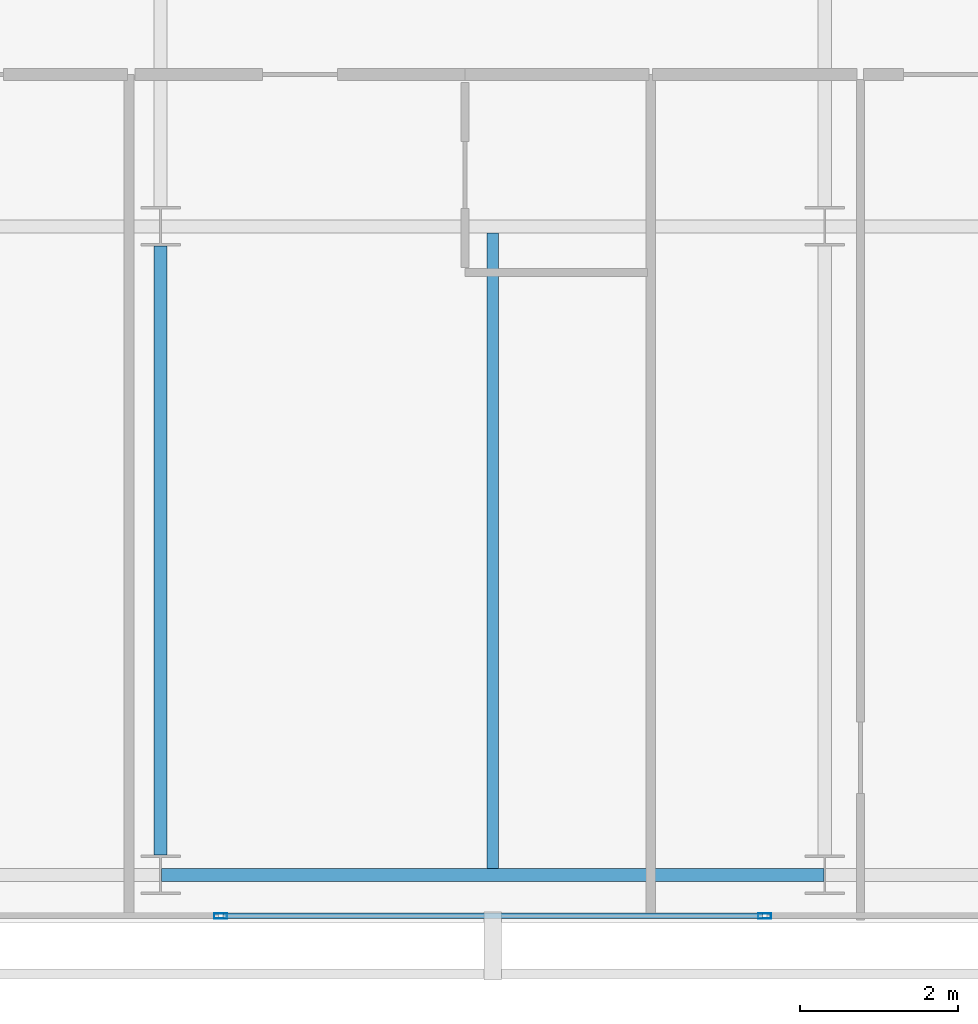
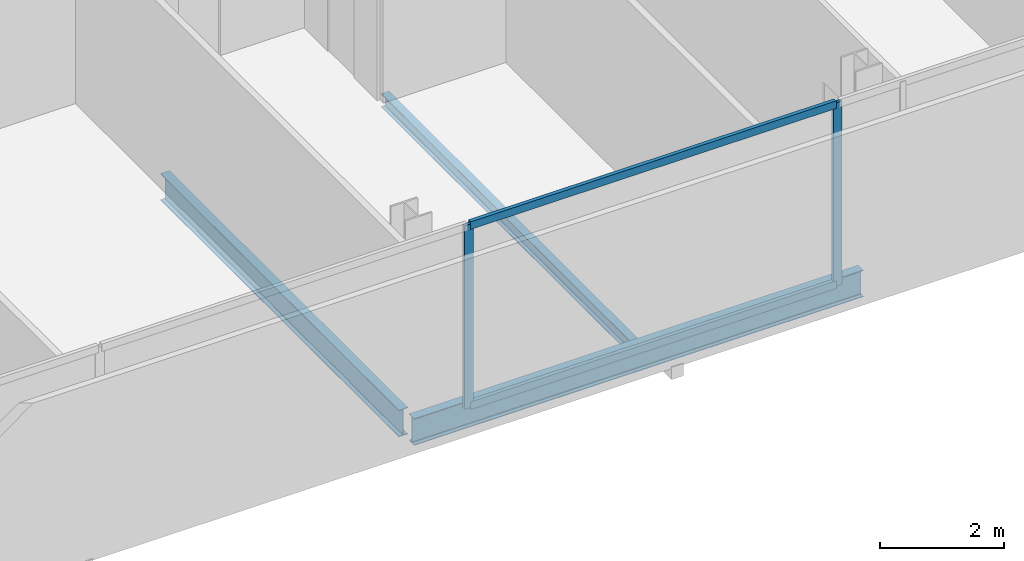
# One storey, part 6 of 26: 4 members, 3 beams, 1 element without a shape of its own.
"""IFC4 building model written with IfcOpenShell, lengths in metres."""

import ifcopenshell
import ifcopenshell.guid

model = None  # the IFC model being written
_history = None  # IfcOwnerHistory: only IFC2X3 demands one
_inside = {}  # id of a spatial element -> (the spatial element, [elements in it])
_under = {}  # id of a project, library or spatial element -> (it, [spatial elements below it])
_declared = {}  # id of a project -> (the project, [libraries it declares])
_typed = {}  # id of a type object -> (the type object, [elements of that type])
_made_of = {}  # id of a material, layer set ... -> (it, [elements and type objects made of it])


def new_model(schema):
    """Start an empty IFC model of exactly this schema.

    Asked for "IFC4X3", IfcOpenShell would pick the latest addendum, in which some entities
    have other attributes; the version numbers below select the first issue.
    IFC2X3 requires an IfcOwnerHistory on every rooted entity: one is made here for all.
    """
    global model, _history
    if schema == "IFC4X3":
        model = ifcopenshell.file(schema_version=(4, 3, 0, 0))
    else:
        model = ifcopenshell.file(schema=schema)
    _inside.clear()
    _under.clear()
    _declared.clear()
    _typed.clear()
    _made_of.clear()
    _history = None
    if model.schema == "IFC2X3":
        org = make("IfcOrganization", Name="unknown")
        user = make(
            "IfcPersonAndOrganization",
            ThePerson=make("IfcPerson", FamilyName="unknown"),
            TheOrganization=org,
        )
        app = make(
            "IfcApplication",
            ApplicationDeveloper=org,
            Version="unknown",
            ApplicationFullName="unknown",
            ApplicationIdentifier="unknown",
        )
        _history = make(
            "IfcOwnerHistory",
            OwningUser=user,
            OwningApplication=app,
            ChangeAction="ADDED",
            CreationDate=0,
        )
    return model


def make(cls, **values):
    """One entity of the class cls with the attributes given. An attribute that is None is left unset."""
    return model.create_entity(
        cls, **{name: value for name, value in values.items() if value is not None}
    )


def rooted(cls, **values):
    """An entity with a GlobalId (a new one), such as an element, a storey or a relation."""
    return make(cls, GlobalId=ifcopenshell.guid.new(), OwnerHistory=_history, **values)


def si_unit(unit_type, name, prefix=None):
    """IfcSIUnit, for example si_unit("LENGTHUNIT", "METRE", prefix="MILLI")."""
    return make("IfcSIUnit", UnitType=unit_type, Prefix=prefix, Name=name)


def assignment(units):
    """IfcUnitAssignment: the units of a project."""
    return None if units is None else make("IfcUnitAssignment", Units=units)


def point(xyz):
    """IfcCartesianPoint."""
    return None if xyz is None else make("IfcCartesianPoint", Coordinates=xyz)


def direction(xyz):
    """IfcDirection."""
    return None if xyz is None else make("IfcDirection", DirectionRatios=xyz)


def frame(location, z_axis=None, x_axis=None):
    """IfcAxis2Placement3D, a coordinate frame: its origin and axes. An axis left out is left unset."""
    return make(
        "IfcAxis2Placement3D",
        Location=point(location),
        Axis=direction(z_axis),
        RefDirection=direction(x_axis),
    )


def frame_2d(location, x_axis=None):
    """IfcAxis2Placement2D, a coordinate frame in the plane: its origin and x axis."""
    return make(
        "IfcAxis2Placement2D", Location=point(location), RefDirection=direction(x_axis)
    )


def origin():
    """The frame at (0, 0, 0) with its axes left unset."""
    return frame((0.0, 0.0, 0.0))


def origin_2d():
    """The frame at (0, 0) in the plane with its x axis left unset."""
    return frame_2d((0.0, 0.0))


def place(relative_to, where):
    """IfcLocalPlacement: puts the frame where relative to a parent placement (None: the world)."""
    return make(
        "IfcLocalPlacement", PlacementRelTo=relative_to, RelativePlacement=where
    )


def context(
    kind, dimensions, precision=None, world=None, true_north=None, identifier=None
):
    """IfcGeometricRepresentationContext, for example the 3D "Model" context."""
    return make(
        "IfcGeometricRepresentationContext",
        ContextIdentifier=identifier,
        ContextType=kind,
        CoordinateSpaceDimension=dimensions,
        Precision=precision,
        WorldCoordinateSystem=world,
        TrueNorth=true_north,
    )


def subcontext(parent, identifier, kind, view, scale=None):
    """IfcGeometricRepresentationSubContext, for example "Body" below "Model"."""
    return make(
        "IfcGeometricRepresentationSubContext",
        ContextIdentifier=identifier,
        ContextType=kind,
        ParentContext=parent,
        TargetScale=scale,
        TargetView=view,
    )


def project(units=None, contexts=None):
    """IfcProject with its units and contexts."""
    return rooted(
        "IfcProject",
        Name="project",
        RepresentationContexts=contexts,
        UnitsInContext=assignment(units),
    )


def spatial(cls, under=None, at=None, **own):
    """A site, building, storey or space (cls), placed at a placement, below another one or the project."""
    s = rooted(cls, ObjectPlacement=at, **own)
    if under is not None:
        _under.setdefault(under.id(), (under, []))[1].append(s)
    return s


def profile(cls, at=None, kind="AREA", **sizes):
    """A parametric profile (cls). Its sizes go by their IFC names, for example OverallWidth=200.0."""
    return make(cls, ProfileType=kind, Position=at, **sizes)


def hollow_rectangle(**sizes):
    """IfcRectangleHollowProfileDef."""
    return profile("IfcRectangleHollowProfileDef", **sizes)


def i_section(**sizes):
    """IfcIShapeProfileDef."""
    return profile("IfcIShapeProfileDef", **sizes)


def extrude(swept, where, along, depth):
    """IfcExtrudedAreaSolid: the profile swept, set in the frame where, extruded along a direction by depth."""
    return make(
        "IfcExtrudedAreaSolid",
        SweptArea=swept,
        Position=where,
        ExtrudedDirection=direction(along),
        Depth=depth,
    )


def shape(context_of_items, identifier, shape_type, items):
    """IfcShapeRepresentation: the items that make up one representation, for example the "Body"."""
    return make(
        "IfcShapeRepresentation",
        ContextOfItems=context_of_items,
        RepresentationIdentifier=identifier,
        RepresentationType=shape_type,
        Items=items,
    )


def material(Name=None, Category=None):
    """IfcMaterial."""
    return make("IfcMaterial", Name=Name, Category=Category)


def layer(
    of_material, thickness, ventilated=None, Name=None, Category=None, Priority=None
):
    """IfcMaterialLayer: one layer of a wall or slab, of a material (None: an air gap)."""
    return make(
        "IfcMaterialLayer",
        Material=of_material,
        LayerThickness=thickness,
        IsVentilated=ventilated,
        Name=Name,
        Category=Category,
        Priority=Priority,
    )


def layer_set(layers, Name=None):
    """IfcMaterialLayerSet."""
    return make("IfcMaterialLayerSet", MaterialLayers=layers, LayerSetName=Name)


def material_profile(
    of_material, cross_section, Name=None, Category=None, Priority=None
):
    """IfcMaterialProfile: a cross section and its material."""
    return make(
        "IfcMaterialProfile",
        Name=Name,
        Material=of_material,
        Profile=cross_section,
        Priority=Priority,
        Category=Category,
    )


def profile_set(profiles, Name=None, composite=None):
    """IfcMaterialProfileSet."""
    return make(
        "IfcMaterialProfileSet",
        Name=Name,
        MaterialProfiles=profiles,
        CompositeProfile=composite,
    )


def made_of(thing, what):
    """Note that an element or type object is made of a material, layer set ...; save() writes the relation."""
    if what is not None:
        _made_of.setdefault(what.id(), (what, []))[1].append(thing)
    return thing


def type_object(cls, material=None, **own):
    """A type object (cls), such as IfcWallType, which elements share."""
    return made_of(rooted(cls, **own), material)


def element(
    cls,
    number,
    at=None,
    inside=None,
    cuts=None,
    type_object=None,
    material=None,
    context=None,
    identifier="Body",
    shape_type=None,
    held_by="IfcProductDefinitionShape",
    body=None,
    shapes=None,
    **own,
):
    """One element of the class cls, such as IfcWall. Its Tag is "e" and its number.

    at: its placement. inside: the storey or other place that contains it. cuts: it is an
    opening in that element (IfcRelVoidsElement). A single representation is given by context,
    identifier, shape_type and body (its items); several are given by shapes. held_by: the class
    of the entity that holds the representations. save() writes the other relations.
    """
    e = rooted(cls, Tag="e%d" % number, ObjectPlacement=at, **own)
    if body is not None:
        shapes = [shape(context, identifier, shape_type, body)]
    if shapes is not None:
        e.Representation = make(held_by, Representations=shapes)
    if inside is not None:
        _inside.setdefault(inside.id(), (inside, []))[1].append(e)
    if cuts is not None:
        rooted(
            "IfcRelVoidsElement", RelatingBuildingElement=cuts, RelatedOpeningElement=e
        )
    if type_object is not None:
        _typed.setdefault(type_object.id(), (type_object, []))[1].append(e)
    return made_of(e, material)


def aggregate(whole, parts):
    """IfcRelAggregates: a whole, such as a stair, and the parts it consists of."""
    return rooted("IfcRelAggregates", RelatingObject=whole, RelatedObjects=parts)


def save(model, path):
    """Write the relations noted so far, then the file.

    IfcRelAggregates (storeys below a building ...), IfcRelContainedInSpatialStructure (elements
    in a storey), IfcRelDefinesByType, IfcRelAssociatesMaterial and IfcRelDeclares: one each for
    every whole, place, type object, material and project.
    """
    for whole, parts in _under.values():
        aggregate(whole, parts)
    for where, things in _inside.values():
        rooted(
            "IfcRelContainedInSpatialStructure",
            RelatedElements=things,
            RelatingStructure=where,
        )
    for kind, things in _typed.values():
        rooted("IfcRelDefinesByType", RelatedObjects=things, RelatingType=kind)
    for what, things in _made_of.values():
        rooted("IfcRelAssociatesMaterial", RelatedObjects=things, RelatingMaterial=what)
    for by, libraries in _declared.values():
        rooted("IfcRelDeclares", RelatingContext=by, RelatedDefinitions=libraries)
    model.write(path)


model = new_model("IFC4")

# Units and contexts
model_context = context("Model", 3, precision=1e-05, world=origin(), true_north=direction((0.0, 1.0)))
body_context = subcontext(model_context, "Body", "Model", "MODEL_VIEW")
ifc_project = project(units=[si_unit("LENGTHUNIT", "METRE"), si_unit("AREAUNIT", "SQUARE_METRE"), si_unit("VOLUMEUNIT", "CUBIC_METRE"), si_unit("PLANEANGLEUNIT", "RADIAN"), si_unit("MASSUNIT", "GRAM", prefix="KILO")], contexts=[model_context])

# Site, building, storey
site_placement = place(None, origin())
site = spatial("IfcSite", under=ifc_project, at=site_placement, CompositionType="ELEMENT")
building_placement = place(site_placement, origin())
building = spatial("IfcBuilding", under=site, at=building_placement, Name="Maruvema Waterfront Hotel and Observation Tower", CompositionType="ELEMENT")
storey_placement = place(building_placement, frame((0.0, 0.0, 289.449951171875)))
storey = spatial("IfcBuildingStorey", under=building, at=storey_placement, Name="L71", CompositionType="ELEMENT", Elevation=289.449951171875)

# Curtain wall, members
ifc_material_1 = material(Name="Anodised bronze aluminium and solar-control low-E IGU", Category="aluminium")
ifc_layer = layer(ifc_material_1, 0.159912109375, Name="Zone 3 Champagne Inner Thermal Curtain Wall System CW-04")
ifc_layer_set = layer_set([ifc_layer], Name="Anodised bronze aluminium and solar-control low-E IGU")
curtain_wall_type = type_object("IfcCurtainWallType", Name="Zone 3 Champagne Inner Thermal Curtain Wall System CW-04", PredefinedType="USERDEFINED", material=ifc_layer_set)
curtain_wall_placement = place(storey_placement, origin())
curtain_wall = element("IfcCurtainWall", 1, at=curtain_wall_placement, inside=storey, type_object=curtain_wall_type, Name="L71 Curtain Wall CW-L71-S", ObjectType="UNITISED CURTAIN WALL", PredefinedType="USERDEFINED")
ifc_material_2 = material(Name="Anodised architectural bronze aluminium", Category="aluminium")
ifc_material_profile_1 = material_profile(ifc_material_2, hollow_rectangle(XDim=0.070068359375, YDim=0.14990234375, WallThickness=0.00390625, at=origin_2d()), Name="ALU-T70x150")
ifc_profile_set_1 = profile_set([ifc_material_profile_1], Name="Anodised architectural bronze aluminium")
member_type_1 = type_object("IfcMemberType", Name="Curtain Wall Horizontal Transom ALU-T70x150", PredefinedType="USERDEFINED", material=ifc_profile_set_1)
member_1_placement = place(storey_placement, frame((34.389892578125, 9.280029296875, 0.030029296875), z_axis=(1.0, 0.0, 0.0), x_axis=(0.0, 1.0, 0.0)))
member_1 = element("IfcMember", 2, at=member_1_placement, type_object=member_type_1, Name="CW-04 transom 3.1", ObjectType="TRANSOM", PredefinedType="USERDEFINED", context=body_context, shape_type="SweptSolid", body=[
    extrude(hollow_rectangle(XDim=0.070068359375, YDim=0.14990234375, WallThickness=0.00390625, at=origin_2d()), origin(), (0.0, 0.0, 1.0), 6.820068359375),
])
member_2_placement = place(storey_placement, frame((34.389892578125, 9.280029296875, 3.580078125), z_axis=(1.0, 0.0, 0.0), x_axis=(0.0, 1.0, 0.0)))
member_2 = element("IfcMember", 3, at=member_2_placement, type_object=member_type_1, Name="CW-04 transom 3.2", ObjectType="TRANSOM", PredefinedType="USERDEFINED", context=body_context, shape_type="SweptSolid", body=[
    extrude(hollow_rectangle(XDim=0.070068359375, YDim=0.14990234375, WallThickness=0.00390625, at=origin_2d()), origin(), (0.0, 0.0, 1.0), 6.820068359375),
])
ifc_material_3 = material(Name="Anodised architectural bronze aluminium", Category="aluminium")
ifc_material_profile_2 = material_profile(ifc_material_3, hollow_rectangle(XDim=0.06494140625, YDim=0.1650390625, WallThickness=0.00390625, at=origin_2d()), Name="ALU-M65x165")
ifc_profile_set_2 = profile_set([ifc_material_profile_2], Name="Anodised architectural bronze aluminium")
member_type_2 = type_object("IfcMemberType", Name="Curtain Wall Primary Mullion ALU-M65x165", PredefinedType="MULLION", material=ifc_profile_set_2)
member_3_placement = place(storey_placement, frame((34.360107421875, 9.280029296875, 0.0), z_axis=(0.0, 0.0, 1.0), x_axis=(0.0, 1.0, 0.0)))
member_3 = element("IfcMember", 4, at=member_3_placement, type_object=member_type_2, Name="CW-04 mullion 3", PredefinedType="MULLION", context=body_context, shape_type="SweptSolid", body=[
    extrude(hollow_rectangle(XDim=0.06494140625, YDim=0.1650390625, WallThickness=0.00390625, at=origin_2d()), origin(), (0.0, 0.0, 1.0), 3.610107421875),
])
member_4_placement = place(storey_placement, frame((41.239990234375, 9.280029296875, 0.0), z_axis=(0.0, 0.0, 1.0), x_axis=(0.0, 1.0, 0.0)))
member_4 = element("IfcMember", 5, at=member_4_placement, type_object=member_type_2, Name="CW-04 mullion 4", PredefinedType="MULLION", context=body_context, shape_type="SweptSolid", body=[
    extrude(hollow_rectangle(XDim=0.06494140625, YDim=0.1650390625, WallThickness=0.00390625, at=origin_2d()), origin(), (0.0, 0.0, 1.0), 3.610107421875),
])
aggregate(curtain_wall, [member_3, member_4, member_1, member_2])

# Beams
ifc_material_4 = material(Name="Steel ASTM A572 Grade 50", Category="steel")
ifc_material_profile_3 = material_profile(ifc_material_4, i_section(OverallWidth=0.166015625, OverallDepth=0.529052734375, WebThickness=0.009765625, FlangeThickness=0.013671875, FilletRadius=0.014892578125, at=origin_2d()), Name="W530x74.0")
ifc_profile_set_3 = profile_set([ifc_material_profile_3], Name="Steel ASTM A572 Grade 50")
beam_type_1 = type_object("IfcBeamType", Name="Primary Floor Girder W530x74.0", PredefinedType="BEAM", material=ifc_profile_set_3)
beam_1_placement = place(storey_placement, frame((33.611083984375, 9.800048828125, -0.50439453125), z_axis=(1.0, 0.0, 0.0), x_axis=(0.0, 1.0, 0.0)))
element("IfcBeam", 6, at=beam_1_placement, inside=storey, type_object=beam_type_1, Name="L71 Floor Girder EW-02", PredefinedType="BEAM", context=body_context, shape_type="SweptSolid", body=[
    extrude(i_section(OverallWidth=0.166015625, OverallDepth=0.529052734375, WebThickness=0.009765625, FlangeThickness=0.013671875, FilletRadius=0.014892578125, at=origin_2d()), origin(), (0.0, 0.0, 1.0), 8.3779296875),
])
beam_2_placement = place(storey_placement, frame((33.60009765625, 10.050048828125, -0.50439453125), z_axis=(0.0, 1.0, 0.0), x_axis=(-1.0, 0.0, 0.0)))
element("IfcBeam", 7, at=beam_2_placement, inside=storey, type_object=beam_type_1, Name="L71 Floor Girder NS-08", PredefinedType="BEAM", context=body_context, shape_type="SweptSolid", body=[
    extrude(i_section(OverallWidth=0.166015625, OverallDepth=0.529052734375, WebThickness=0.009765625, FlangeThickness=0.013671875, FilletRadius=0.014892578125, at=origin_2d()), origin(), (0.0, 0.0, 1.0), 7.699951171875),
])
ifc_material_5 = material(Name="Steel ASTM A572 Grade 50", Category="steel")
ifc_material_profile_4 = material_profile(ifc_material_5, i_section(OverallWidth=0.14794921875, OverallDepth=0.26611328125, WebThickness=0.007568359375, FlangeThickness=0.012939453125, FilletRadius=0.012939453125, at=origin_2d()), Name="W250x44.8")
ifc_profile_set_4 = profile_set([ifc_material_profile_4], Name="Steel ASTM A572 Grade 50")
beam_type_2 = type_object("IfcBeamType", Name="Secondary Floor Joist W250x44.8", PredefinedType="JOIST", material=ifc_profile_set_4)
beam_3_placement = place(storey_placement, frame((37.800048828125, 9.883056640625, -0.373046875), z_axis=(0.0, 1.0, 0.0), x_axis=(-1.0, 0.0, 0.0)))
element("IfcBeam", 8, at=beam_3_placement, inside=storey, type_object=beam_type_2, Name="L71 Secondary Floor Joist JS-05", PredefinedType="JOIST", context=body_context, shape_type="SweptSolid", body=[
    extrude(i_section(OverallWidth=0.14794921875, OverallDepth=0.26611328125, WebThickness=0.007568359375, FlangeThickness=0.012939453125, FilletRadius=0.012939453125, at=origin_2d()), origin(), (0.0, 0.0, 1.0), 8.033935546875),
])

save(model, "model.ifc")
